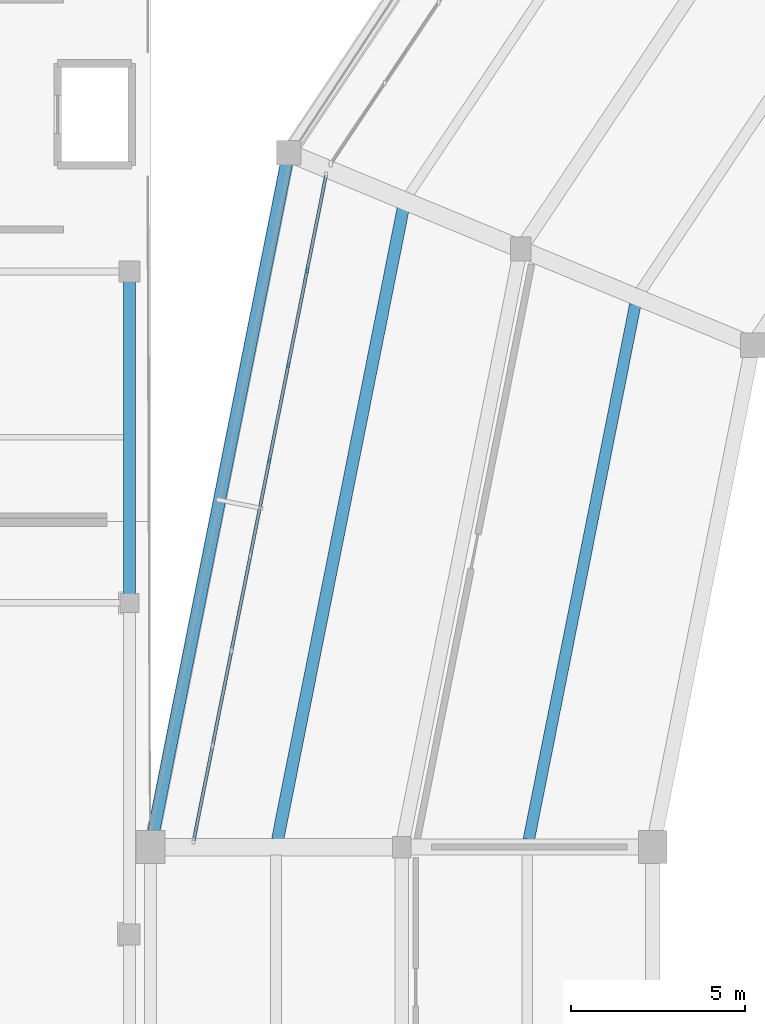
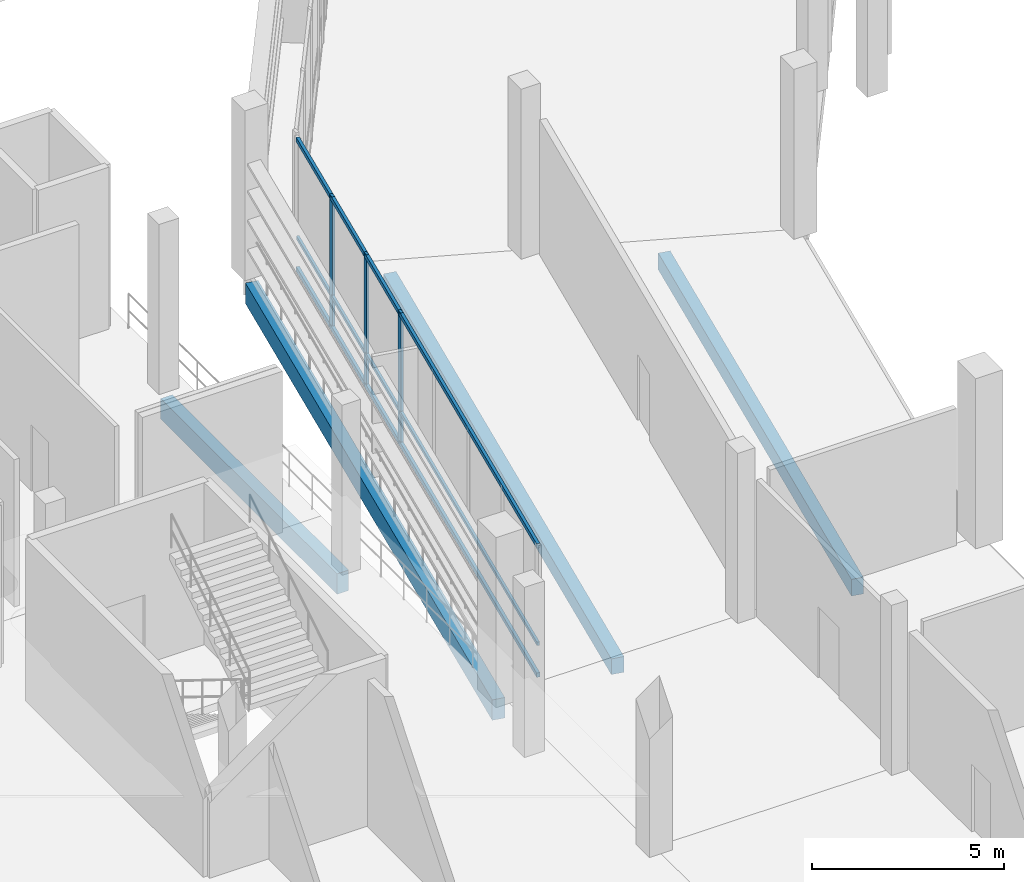
# One storey, part 27 of 111: 6 members, 4 beams, 1 element without a shape of its own.
"""IFC4 building model written with IfcOpenShell, lengths in metres."""

from ifc_helpers import new_model, si_unit, direction, frame, origin, origin_2d, place, context, subcontext, project, spatial, rectangle, extrude, material, material_profile, profile_set, type_object, element, aggregate, save


model = new_model("IFC4")

# Units and contexts
model_context = context("Model", 3, precision=1e-05, world=origin(), true_north=direction((0.0, 1.0)))
body_context = subcontext(model_context, "Body", "Model", "MODEL_VIEW")
ifc_project = project(units=[si_unit("LENGTHUNIT", "METRE"), si_unit("AREAUNIT", "SQUARE_METRE"), si_unit("VOLUMEUNIT", "CUBIC_METRE"), si_unit("PLANEANGLEUNIT", "RADIAN"), si_unit("MASSUNIT", "GRAM", prefix="KILO")], contexts=[model_context])

# Site, building, storey
site_placement = place(None, origin())
site = spatial("IfcSite", under=ifc_project, at=site_placement, CompositionType="ELEMENT")
building_placement = place(site_placement, origin())
building = spatial("IfcBuilding", under=site, at=building_placement, Name="Candeia Ridge Stadium", CompositionType="ELEMENT")
storey_placement = place(building_placement, frame((0.0, 0.0, 16.199951171875)))
storey = spatial("IfcBuildingStorey", under=building, at=storey_placement, Name="L03", CompositionType="ELEMENT", Elevation=16.199951171875)

# Curtain wall, members
ifc_material_1 = material(Name="Aluminium Anodized Warm Bronze", Category="aluminium")
curtain_wall_type = type_object("IfcCurtainWallType", Name="Concourse Recessed Unitised Curtain Wall", PredefinedType="NOTDEFINED", material=ifc_material_1)
curtain_wall_placement = place(storey_placement, origin())
curtain_wall = element("IfcCurtainWall", 1, at=curtain_wall_placement, inside=storey, type_object=curtain_wall_type, Name="Unitised curtain wall CW-BWL-L03-10", PredefinedType="NOTDEFINED")
ifc_material_profile_1 = material_profile(ifc_material_1, rectangle(XDim=0.074951171875, YDim=0.14990234375, at=origin_2d()), Name="CWM-75x150", Category="aluminium")
ifc_profile_set_1 = profile_set([ifc_material_profile_1], Name="Aluminium Anodized Warm Bronze")
member_type_1 = type_object("IfcMemberType", Name="Curtain Wall Secondary Mullion 75x150", PredefinedType="MULLION", material=ifc_profile_set_1)
member_1_placement = place(storey_placement, frame((23.489501953125, 111.537109375, 0.0), z_axis=(0.0, 0.0, 1.0), x_axis=(1.0, 0.0, 0.0)))
member_1 = element("IfcMember", 2, at=member_1_placement, type_object=member_type_1, Name="Curtain wall mullion CW-BWL-L03-10-M1", PredefinedType="MULLION", context=body_context, shape_type="SweptSolid", body=[
    extrude(rectangle(XDim=0.074951171875, YDim=0.14990234375, at=origin_2d()), origin(), (0.0, 0.0, 1.0), 4.2451171875),
])
member_2_placement = place(storey_placement, frame((22.947021484375, 108.810302734375, 0.0), z_axis=(0.0, 0.0, 1.0), x_axis=(1.0, 0.0, 0.0)))
member_2 = element("IfcMember", 3, at=member_2_placement, type_object=member_type_1, Name="Curtain wall mullion CW-BWL-L03-10-M2", PredefinedType="MULLION", context=body_context, shape_type="SweptSolid", body=[
    extrude(rectangle(XDim=0.074951171875, YDim=0.14990234375, at=origin_2d()), origin(), (0.0, 0.0, 1.0), 4.2451171875),
])
member_3_placement = place(storey_placement, frame((22.404541015625, 106.08349609375, 0.0), z_axis=(0.0, 0.0, 1.0), x_axis=(1.0, 0.0, 0.0)))
member_3 = element("IfcMember", 4, at=member_3_placement, type_object=member_type_1, Name="Curtain wall mullion CW-BWL-L03-10-M3", PredefinedType="MULLION", context=body_context, shape_type="SweptSolid", body=[
    extrude(rectangle(XDim=0.074951171875, YDim=0.14990234375, at=origin_2d()), origin(), (0.0, 0.0, 1.0), 4.2451171875),
])
ifc_material_profile_2 = material_profile(ifc_material_1, rectangle(XDim=0.074951171875, YDim=0.110107421875, at=origin_2d()), Name="CWT-75x110", Category="aluminium")
ifc_profile_set_2 = profile_set([ifc_material_profile_2], Name="Aluminium Anodized Warm Bronze")
member_type_2 = type_object("IfcMemberType", Name="Curtain Wall Secondary Transom 75x110", PredefinedType="USERDEFINED", material=ifc_profile_set_2)
member_4_placement = place(storey_placement, frame((24.03173828125, 114.263916015625, 1.061279296875), z_axis=(-0.195085896803, -0.980786160623, 0.0), x_axis=(0.980786160623, -0.195085896803, 0.0)))
member_4 = element("IfcMember", 5, at=member_4_placement, type_object=member_type_2, Name="Curtain wall transom CW-BWL-L03-10-T1", ObjectType="TRANSOM", PredefinedType="USERDEFINED", context=body_context, shape_type="SweptSolid", body=[
    extrude(rectangle(XDim=0.074951171875, YDim=0.110107421875, at=origin_2d()), origin(), (0.0, 0.0, 1.0), 19.46142578125),
])
ifc_material_profile_3 = material_profile(ifc_material_1, rectangle(XDim=0.090087890625, YDim=0.139892578125, at=origin_2d()), Name="CWT-90x140", Category="aluminium")
ifc_profile_set_3 = profile_set([ifc_material_profile_3], Name="Aluminium Anodized Warm Bronze")
member_type_3 = type_object("IfcMemberType", Name="Curtain Wall Transom 90x140", PredefinedType="USERDEFINED", material=ifc_profile_set_3)
member_5_placement = place(storey_placement, frame((24.03173828125, 114.263916015625, 0.070068359375), z_axis=(-0.195085896803, -0.980786160623, 0.0), x_axis=(0.980786160623, -0.195085896803, 0.0)))
member_5 = element("IfcMember", 6, at=member_5_placement, type_object=member_type_3, Name="Curtain wall transom CW-BWL-L03-10-T0", ObjectType="TRANSOM", PredefinedType="USERDEFINED", context=body_context, shape_type="SweptSolid", body=[
    extrude(rectangle(XDim=0.090087890625, YDim=0.139892578125, at=origin_2d()), origin(), (0.0, 0.0, 1.0), 19.46142578125),
])
member_6_placement = place(storey_placement, frame((24.03173828125, 114.263916015625, 4.175048828125), z_axis=(-0.195085896803, -0.980786160623, 0.0), x_axis=(0.980786160623, -0.195085896803, 0.0)))
member_6 = element("IfcMember", 7, at=member_6_placement, type_object=member_type_3, Name="Curtain wall transom CW-BWL-L03-10-T2", ObjectType="TRANSOM", PredefinedType="USERDEFINED", context=body_context, shape_type="SweptSolid", body=[
    extrude(rectangle(XDim=0.090087890625, YDim=0.139892578125, at=origin_2d()), origin(), (0.0, 0.0, 1.0), 19.46142578125),
])
aggregate(curtain_wall, [member_1, member_2, member_3, member_5, member_4, member_6])

# Beams
ifc_material_2 = material(Name="Concrete C40/50", Category="concrete")
ifc_material_profile_4 = material_profile(ifc_material_2, rectangle(XDim=0.330078125, YDim=0.530029296875, at=origin_2d()), Name="RC330x530", Category="concrete")
ifc_profile_set_4 = profile_set([ifc_material_profile_4], Name="Concrete C40/50")
beam_type_1 = type_object("IfcBeamType", Name="Floor Joist RC330x530", PredefinedType="JOIST", material=ifc_profile_set_4)
beam_1_placement = place(storey_placement, frame((32.892822265625, 110.548828125, -0.514892578125), z_axis=(-0.195091809076, -0.980784984607, 0.0), x_axis=(0.980784984607, -0.195091809076, 0.0)))
element("IfcBeam", 8, at=beam_1_placement, inside=storey, type_object=beam_type_1, Name="Concourse secondary joist BM-L03-0601", PredefinedType="JOIST", context=body_context, shape_type="SweptSolid", body=[
    extrude(rectangle(XDim=0.330078125, YDim=0.530029296875, at=origin_2d()), origin(), (0.0, 0.0, 1.0), 15.63134765625),
])
ifc_material_profile_5 = material_profile(ifc_material_2, rectangle(XDim=0.35009765625, YDim=0.5, at=origin_2d()), Name="RC350x500", Category="concrete")
ifc_profile_set_5 = profile_set([ifc_material_profile_5], Name="Concrete C40/50")
beam_type_2 = type_object("IfcBeamType", Name="Floor Joist RC350x500", PredefinedType="JOIST", material=ifc_profile_set_5)
beam_2_placement = place(storey_placement, frame((26.240966796875, 113.30419921875, -0.5), z_axis=(-0.195092537954, -0.980784839623, 0.0), x_axis=(0.980784839623, -0.195092537954, 0.0)))
element("IfcBeam", 9, at=beam_2_placement, inside=storey, type_object=beam_type_2, Name="Concourse secondary joist BM-L03-0602", PredefinedType="JOIST", context=body_context, shape_type="SweptSolid", body=[
    extrude(rectangle(XDim=0.35009765625, YDim=0.5, at=origin_2d()), origin(), (0.0, 0.0, 1.0), 18.440673828125),
])
ifc_material_profile_6 = material_profile(ifc_material_2, rectangle(XDim=0.35009765625, YDim=0.64990234375, at=origin_2d()), Name="RC350x650", Category="concrete")
ifc_profile_set_6 = profile_set([ifc_material_profile_6], Name="Concrete C40/50")
beam_type_3 = type_object("IfcBeamType", Name="Spandrel Beam RC350x650", PredefinedType="SPANDREL", material=ifc_profile_set_6)
beam_3_placement = place(storey_placement, frame((22.927001953125, 114.74267578125, -0.574951171875), z_axis=(-0.195086242929, -0.980786091775, 0.0), x_axis=(0.980786091775, -0.195086242929, 0.0)))
element("IfcBeam", 10, at=beam_3_placement, inside=storey, type_object=beam_type_3, Name="Bowl perimeter spandrel BM-L03-0600", PredefinedType="SPANDREL", context=body_context, shape_type="SweptSolid", body=[
    extrude(rectangle(XDim=0.35009765625, YDim=0.64990234375, at=origin_2d()), origin(), (0.0, 0.0, 1.0), 19.969482421875),
])
beam_4_placement = place(storey_placement, frame((18.39990234375, 102.159912109375, -0.574951171875), z_axis=(0.0, 1.0, 0.0), x_axis=(-1.0, 0.0, 0.0)))
element("IfcBeam", 11, at=beam_4_placement, inside=storey, type_object=beam_type_3, Name="Structural girder BM-L03-1227", PredefinedType="SPANDREL", context=body_context, shape_type="SweptSolid", body=[
    extrude(rectangle(XDim=0.35009765625, YDim=0.64990234375, at=origin_2d()), origin(), (0.0, 0.0, 1.0), 9.18017578125),
])

save(model, "model.ifc")
